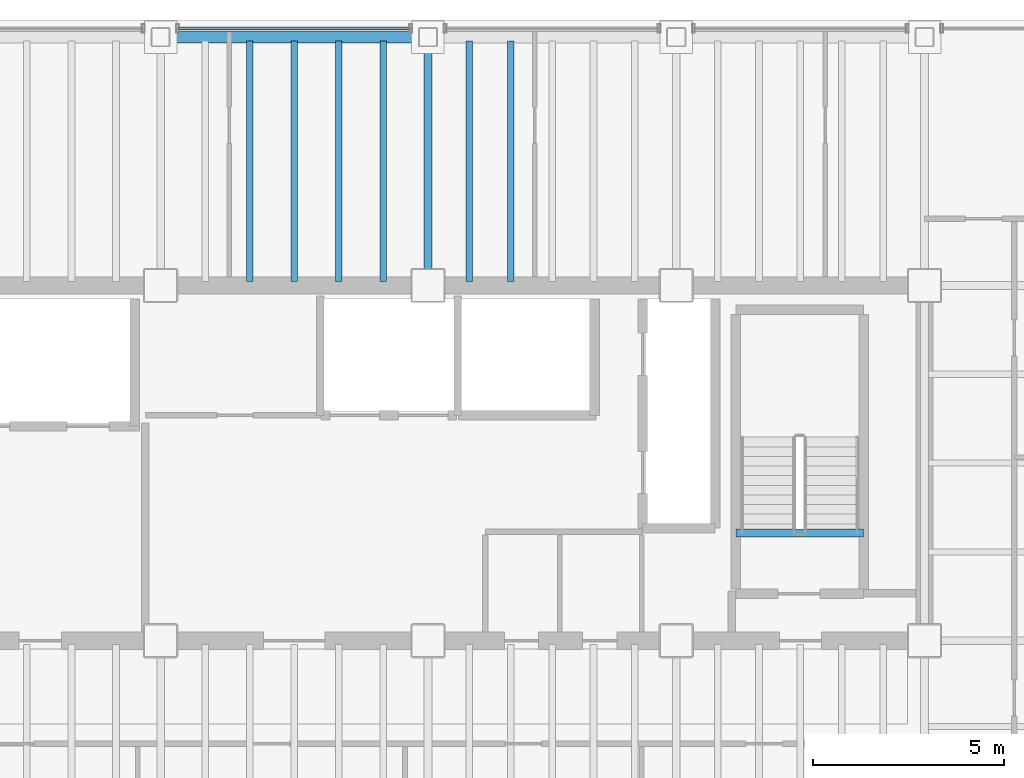
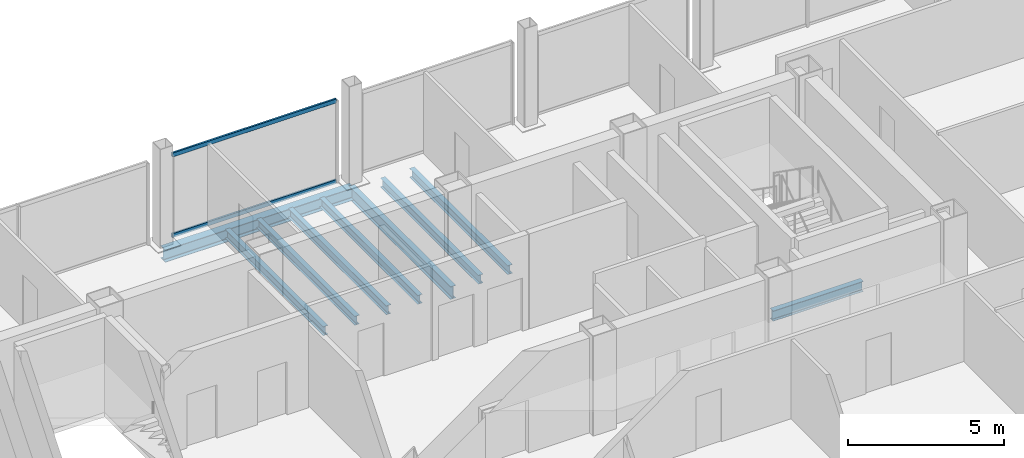
# One storey, part 8 of 16: 9 beams, 2 members, 1 element without a shape of its own.
"""IFC4 building model written with IfcOpenShell, lengths in metres."""

from ifc_helpers import new_model, si_unit, direction, frame, origin, origin_2d, place, context, subcontext, project, spatial, hollow_rectangle, i_section, extrude, material, material_profile, profile_set, type_object, element, aggregate, save


model = new_model("IFC4")

# Units and contexts
model_context = context("Model", 3, precision=1e-05, world=origin(), true_north=direction((0.0, 1.0)))
body_context = subcontext(model_context, "Body", "Model", "MODEL_VIEW")
ifc_project = project(units=[si_unit("LENGTHUNIT", "METRE"), si_unit("AREAUNIT", "SQUARE_METRE"), si_unit("VOLUMEUNIT", "CUBIC_METRE"), si_unit("PLANEANGLEUNIT", "RADIAN"), si_unit("MASSUNIT", "GRAM", prefix="KILO")], contexts=[model_context])

# Site, building, storey
site_placement = place(None, origin())
site = spatial("IfcSite", under=ifc_project, at=site_placement, CompositionType="ELEMENT")
building_placement = place(site_placement, origin())
building = spatial("IfcBuilding", under=site, at=building_placement, Name="Noeulbin Bourse Tower", CompositionType="ELEMENT")
storey_placement = place(building_placement, frame((0.0, 0.0, 181.199951171875)))
storey = spatial("IfcBuildingStorey", under=building, at=storey_placement, Name="L45", CompositionType="ELEMENT", Elevation=181.199951171875)

# Beams
ifc_material_1 = material(Name="Steel S355", Category="steel")
ifc_material_profile_1 = material_profile(ifc_material_1, i_section(OverallWidth=0.199951171875, OverallDepth=0.5, WebThickness=0.010009765625, FlangeThickness=0.01611328125, FilletRadius=0.02001953125, at=origin_2d()), Name="H-500x200x10x16", Category="LoadBearing")
ifc_profile_set_1 = profile_set([ifc_material_profile_1], Name="Steel S355")
beam_type_1 = type_object("IfcBeamType", Name="BM-GRD-500", PredefinedType="USERDEFINED", material=ifc_profile_set_1)
beam_1_placement = place(storey_placement, frame((31.0, 38.300048828125, -0.429931640625), z_axis=(0.0, 1.0, 0.0), x_axis=(-1.0, 0.0, 0.0)))
element("IfcBeam", 1, at=beam_1_placement, inside=storey, type_object=beam_type_1, Name="Tower Primary Girder NS L45-3.4", ObjectType="GIRDER", PredefinedType="USERDEFINED", context=body_context, shape_type="SweptSolid", body=[
    extrude(i_section(OverallWidth=0.199951171875, OverallDepth=0.5, WebThickness=0.010009765625, FlangeThickness=0.01611328125, FilletRadius=0.02001953125, at=origin_2d()), origin(), (0.0, 0.0, 1.0), 6.5),
])
ifc_material_profile_2 = material_profile(ifc_material_1, i_section(OverallWidth=0.175048828125, OverallDepth=0.35009765625, WebThickness=0.007080078125, FlangeThickness=0.010986328125, FilletRadius=0.013916015625, at=origin_2d()), Name="H-350x175x7x11", Category="LoadBearing")
ifc_profile_set_2 = profile_set([ifc_material_profile_2], Name="Steel S355")
beam_type_2 = type_object("IfcBeamType", Name="BM-JST-350", PredefinedType="JOIST", material=ifc_profile_set_2)
for number, where, z_axis, x_axis, name in (
    (2, (26.333251953125, 38.39990234375, -0.35498046875), (0.0, 1.0, 0.0), (-1.0, 0.0, 0.0), "Tower Composite Joist L45-29"),
    (3, (27.5, 38.39990234375, -0.35498046875), (0.0, 1.0, 0.0), (-1.0, 0.0, 0.0), "Tower Composite Joist L45-31"),
    (4, (28.666748046875, 38.39990234375, -0.35498046875), (0.0, 1.0, 0.0), (-1.0, 0.0, 0.0), "Tower Composite Joist L45-33"),
    (5, (29.833251953125, 38.39990234375, -0.35498046875), (0.0, 1.0, 0.0), (-1.0, 0.0, 0.0), "Tower Composite Joist L45-36"),
    (6, (32.083251953125, 38.39990234375, -0.35498046875), (0.0, 1.0, 0.0), (-1.0, 0.0, 0.0), "Tower Composite Joist L45-39"),
    (7, (33.166748046875, 38.39990234375, -0.35498046875), (0.0, 1.0, 0.0), (-1.0, 0.0, 0.0), "Tower Composite Joist L45-42"),
):
    element("IfcBeam", number, at=place(storey_placement, frame(where, z_axis=z_axis, x_axis=x_axis)), inside=storey, type_object=beam_type_2, Name=name, PredefinedType="JOIST", context=body_context, shape_type="SweptSolid", body=[
        extrude(i_section(OverallWidth=0.175048828125, OverallDepth=0.35009765625, WebThickness=0.007080078125, FlangeThickness=0.010986328125, FilletRadius=0.013916015625, at=origin_2d()), origin(), (0.0, 0.0, 1.0), 6.300048828125),
    ])
ifc_material_profile_3 = material_profile(ifc_material_1, i_section(OverallWidth=0.199951171875, OverallDepth=0.39990234375, WebThickness=0.008056640625, FlangeThickness=0.012939453125, FilletRadius=0.01611328125, at=origin_2d()), Name="H-400x200x8x13", Category="LoadBearing")
ifc_profile_set_3 = profile_set([ifc_material_profile_3], Name="Steel S355")
beam_type_3 = type_object("IfcBeamType", Name="BM-SEC-400", PredefinedType="BEAM", material=ifc_profile_set_3)
beam_2_placement = place(storey_placement, frame((39.06005859375, 31.820068359375, -0.199951171875), z_axis=(1.0, 0.0, 0.0), x_axis=(0.0, 1.0, 0.0)))
element("IfcBeam", 8, at=beam_2_placement, inside=storey, type_object=beam_type_3, Name="Stair Threshold Trimmer Beam ST2-L45", PredefinedType="BEAM", context=body_context, shape_type="SweptSolid", body=[
    extrude(i_section(OverallWidth=0.199951171875, OverallDepth=0.39990234375, WebThickness=0.008056640625, FlangeThickness=0.012939453125, FilletRadius=0.01611328125, at=origin_2d()), origin(), (0.0, 0.0, 1.0), 3.33984375),
])
ifc_material_profile_4 = material_profile(ifc_material_1, i_section(OverallWidth=0.300048828125, OverallDepth=0.488037109375, WebThickness=0.010986328125, FlangeThickness=0.01806640625, FilletRadius=0.02197265625, at=origin_2d()), Name="H-488x300x11x18", Category="LoadBearing")
ifc_profile_set_4 = profile_set([ifc_material_profile_4], Name="Steel S355")
beam_type_4 = type_object("IfcBeamType", Name="BM-SPN-488", PredefinedType="SPANDREL", material=ifc_profile_set_4)
beam_3_placement = place(storey_placement, frame((24.0, 44.800048828125, -0.424072265625), z_axis=(1.0, 0.0, 0.0), x_axis=(0.0, 1.0, 0.0)))
element("IfcBeam", 9, at=beam_3_placement, inside=storey, type_object=beam_type_4, Name="North Spandrel L45-2", PredefinedType="SPANDREL", context=body_context, shape_type="SweptSolid", body=[
    extrude(i_section(OverallWidth=0.300048828125, OverallDepth=0.488037109375, WebThickness=0.010986328125, FlangeThickness=0.01806640625, FilletRadius=0.02197265625, at=origin_2d()), origin(), (0.0, 0.0, 1.0), 7.0),
])

# Curtain wall, members
ifc_material_2 = material(Name="Dark Tinted Triple Glazing", Category="glass")
curtain_wall_type = type_object("IfcCurtainWallType", Name="CW-SYS-3", PredefinedType="NOTDEFINED", material=ifc_material_2)
curtain_wall_placement = place(storey_placement, origin())
curtain_wall = element("IfcCurtainWall", 10, at=curtain_wall_placement, inside=storey, type_object=curtain_wall_type, Name="Unitised Curtain Wall CW-L45-N-S2", PredefinedType="NOTDEFINED")
ifc_material_3 = material(Name="Anodised Aluminium 6063-T6", Category="aluminium")
ifc_material_profile_5 = material_profile(ifc_material_3, hollow_rectangle(XDim=0.074951171875, YDim=0.159912109375, WallThickness=0.0048828125, InnerFilletRadius=0.00244140625, OuterFilletRadius=0.0048828125, at=origin_2d()), Name="ALU-TRAN-75x160x5", Category="LoadBearing")
ifc_profile_set_5 = profile_set([ifc_material_profile_5], Name="Anodised Aluminium 6063-T6")
member_type = type_object("IfcMemberType", Name="CW-SYS-3-TRN", PredefinedType="USERDEFINED", material=ifc_profile_set_5)
member_1_placement = place(storey_placement, frame((24.4599609375, 45.030029296875, 0.010009765625), z_axis=(1.0, 0.0, 0.0), x_axis=(0.0, 1.0, 0.0)))
member_1 = element("IfcMember", 11, at=member_1_placement, type_object=member_type, Name="Curtain Wall Transom CW-L45-N-S2-T00", ObjectType="TRANSOM", PredefinedType="USERDEFINED", context=body_context, shape_type="SweptSolid", body=[
    extrude(hollow_rectangle(XDim=0.074951171875, YDim=0.159912109375, WallThickness=0.0048828125, InnerFilletRadius=0.00244140625, OuterFilletRadius=0.0048828125, at=origin_2d()), origin(), (0.0, 0.0, 1.0), 6.080078125),
])
member_2_placement = place(storey_placement, frame((24.4599609375, 45.030029296875, 3.170166015625), z_axis=(1.0, 0.0, 0.0), x_axis=(0.0, 1.0, 0.0)))
member_2 = element("IfcMember", 12, at=member_2_placement, type_object=member_type, Name="Curtain Wall Transom CW-L45-N-S2-T01", ObjectType="TRANSOM", PredefinedType="USERDEFINED", context=body_context, shape_type="SweptSolid", body=[
    extrude(hollow_rectangle(XDim=0.074951171875, YDim=0.159912109375, WallThickness=0.0048828125, InnerFilletRadius=0.00244140625, OuterFilletRadius=0.0048828125, at=origin_2d()), origin(), (0.0, 0.0, 1.0), 6.080078125),
])
aggregate(curtain_wall, [member_1, member_2])

save(model, "model.ifc")
